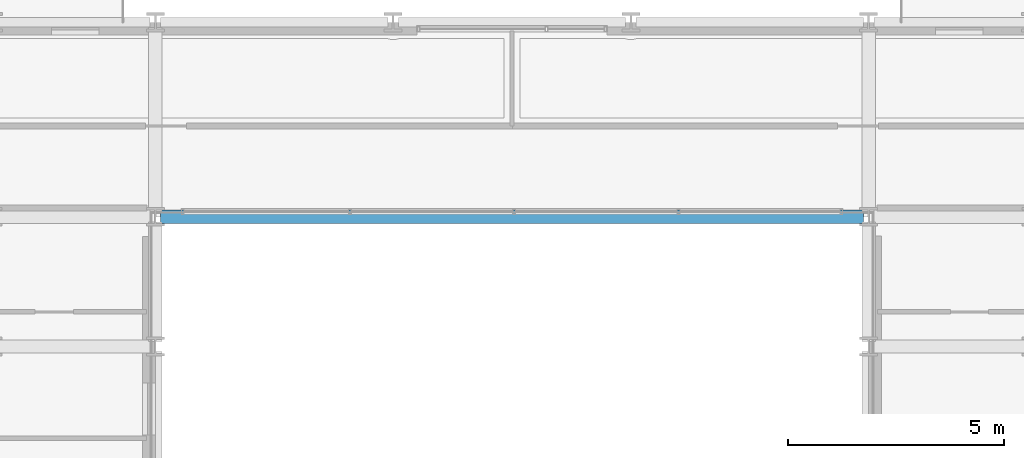
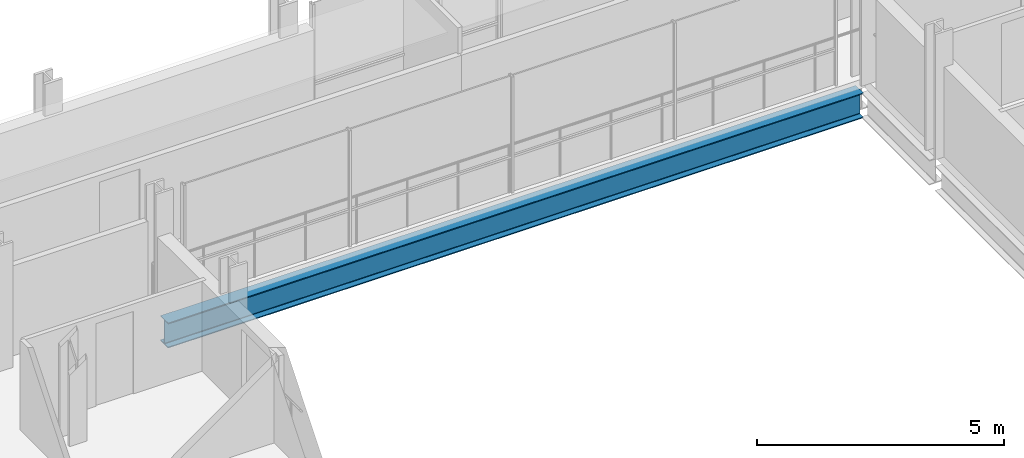
# One storey, part 10 of 38: 1 beam.
"""IFC4 building model written with IfcOpenShell, lengths in metres."""

from ifc_helpers import new_model, si_unit, direction, frame, origin, origin_2d, place, context, subcontext, project, spatial, i_section, extrude, material, material_profile, profile_set, type_object, element, save


model = new_model("IFC4")

# Units and contexts
model_context = context("Model", 3, precision=1e-05, world=origin(), true_north=direction((0.0, 1.0)))
body_context = subcontext(model_context, "Body", "Model", "MODEL_VIEW")
ifc_project = project(units=[si_unit("LENGTHUNIT", "METRE"), si_unit("AREAUNIT", "SQUARE_METRE"), si_unit("VOLUMEUNIT", "CUBIC_METRE"), si_unit("PLANEANGLEUNIT", "RADIAN"), si_unit("MASSUNIT", "GRAM", prefix="KILO")], contexts=[model_context])

# Site, building, storey
site_placement = place(None, origin())
site = spatial("IfcSite", under=ifc_project, at=site_placement, CompositionType="ELEMENT")
building_placement = place(site_placement, origin())
building = spatial("IfcBuilding", under=site, at=building_placement, Name="Brevholm Reach", CompositionType="ELEMENT")
storey_placement = place(building_placement, frame((0.0, 0.0, 71.39990234375)))
storey = spatial("IfcBuildingStorey", under=building, at=storey_placement, Name="L20", CompositionType="ELEMENT", Elevation=71.39990234375)

# Beam
ifc_material = material(Name="Structural Steel S355J2", Category="steel")
ifc_material_profile = material_profile(ifc_material, i_section(OverallWidth=0.30712890625, OverallDepth=0.6201171875, WebThickness=0.01416015625, FlangeThickness=0.023681640625, FilletRadius=0.0166015625, at=origin_2d()), Name="UKB 610x305x179")
ifc_profile_set = profile_set([ifc_material_profile], Name="Structural Steel S355J2")
beam_type = type_object("IfcBeamType", Name="BM-UKB610H", PredefinedType="USERDEFINED", material=ifc_profile_set)
beam_placement = place(storey_placement, frame((21.8701171875, 26.5, -0.5400390625), z_axis=(1.0, 0.0, 0.0), x_axis=(0.0, 1.0, 0.0)))
element("IfcBeam", 1, at=beam_placement, inside=storey, type_object=beam_type, Name="L20 G-06 Framing Beam", ObjectType="GIRDER", PredefinedType="USERDEFINED", context=body_context, shape_type="SweptSolid", body=[
    extrude(i_section(OverallWidth=0.30712890625, OverallDepth=0.6201171875, WebThickness=0.01416015625, FlangeThickness=0.023681640625, FilletRadius=0.0166015625, at=origin_2d()), origin(), (0.0, 0.0, 1.0), 16.259765625),
])

save(model, "model.ifc")
